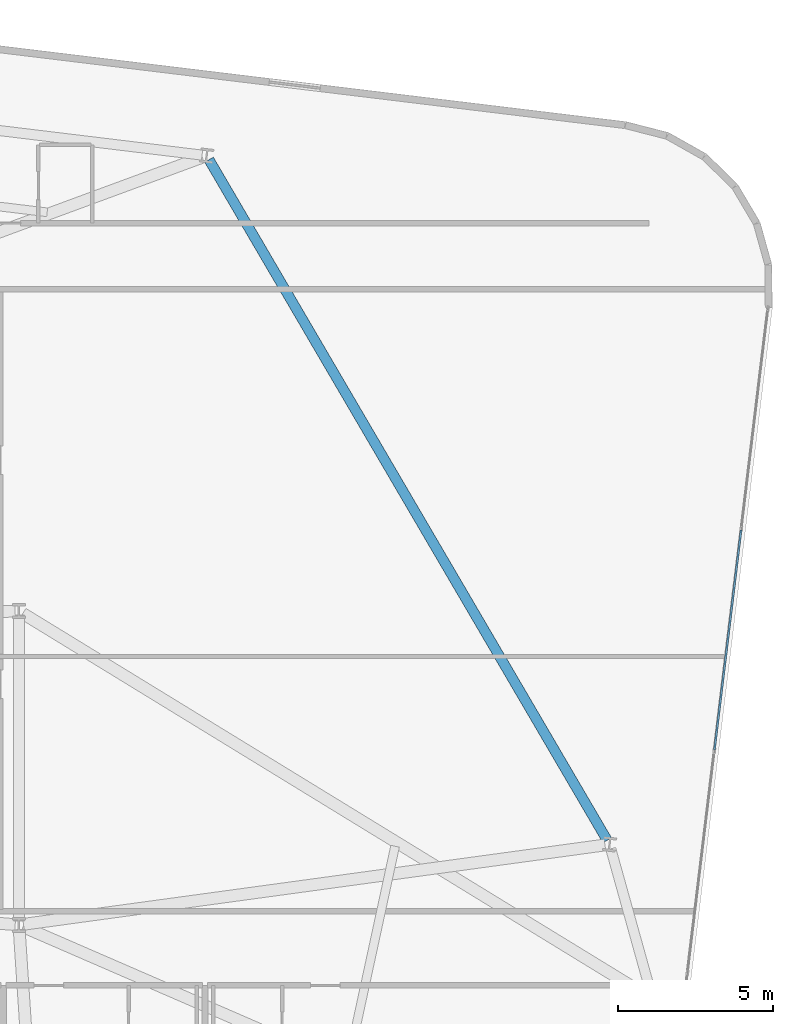
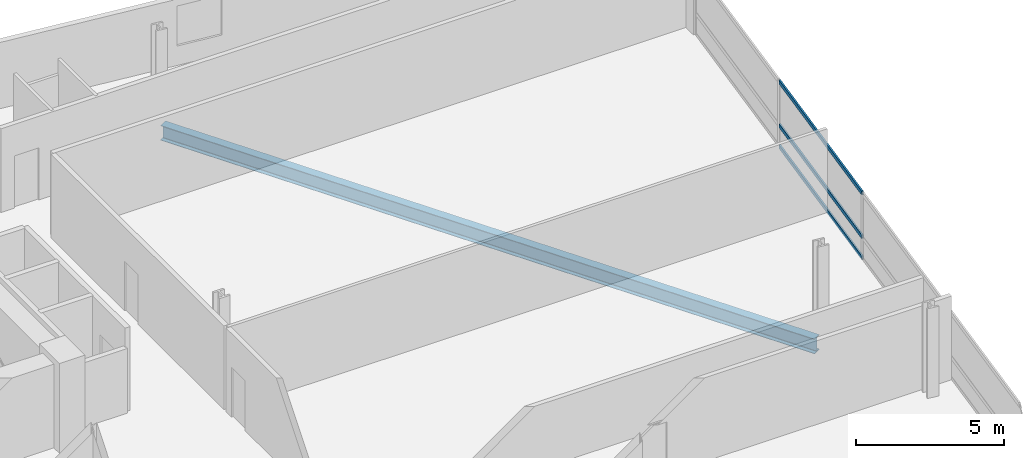
# One storey, part 17 of 26: 3 members, 1 beam, 1 element without a shape of its own.
"""IFC4 building model written with IfcOpenShell, lengths in metres."""

from ifc_helpers import new_model, si_unit, direction, frame, origin, origin_2d, place, context, subcontext, project, spatial, hollow_rectangle, i_section, extrude, material, layer, layer_set, material_profile, profile_set, type_object, element, aggregate, save


model = new_model("IFC4")

# Units and contexts
model_context = context("Model", 3, precision=1e-05, world=origin(), true_north=direction((0.0, 1.0)))
body_context = subcontext(model_context, "Body", "Model", "MODEL_VIEW")
ifc_project = project(units=[si_unit("LENGTHUNIT", "METRE"), si_unit("AREAUNIT", "SQUARE_METRE"), si_unit("VOLUMEUNIT", "CUBIC_METRE"), si_unit("PLANEANGLEUNIT", "RADIAN"), si_unit("MASSUNIT", "GRAM", prefix="KILO")], contexts=[model_context])

# Site, building, storey
site_placement = place(None, origin())
site = spatial("IfcSite", under=ifc_project, at=site_placement, CompositionType="ELEMENT")
building_placement = place(site_placement, origin())
building = spatial("IfcBuilding", under=site, at=building_placement, Name="Varnelok Gate Tower", CompositionType="ELEMENT")
storey_placement = place(building_placement, frame((0.0, 0.0, 129.10009765625)))
storey = spatial("IfcBuildingStorey", under=building, at=storey_placement, Name="L32", CompositionType="ELEMENT", Elevation=129.10009765625)

# Beam
ifc_material_1 = material(Name="Structural Steel ASTM A992 Grade 50", Category="steel")
ifc_material_profile_1 = material_profile(ifc_material_1, i_section(OverallWidth=0.323974609375, OverallDepth=0.611083984375, WebThickness=0.0126953125, FlangeThickness=0.01904296875, FilletRadius=0.01806640625, at=origin_2d()), Name="W24X104")
ifc_profile_set_1 = profile_set([ifc_material_profile_1], Name="Structural Steel ASTM A992 Grade 50")
beam_type = type_object("IfcBeamType", Name="BM-SPN-W24X104", PredefinedType="SPANDREL", material=ifc_profile_set_1)
beam_placement = place(storey_placement, frame((72.96875, 21.528076171875, -0.5556640625), z_axis=(-0.504960797965, 0.863142278259, 0.0), x_axis=(-0.863142278259, -0.504960797965, 0.0)))
element("IfcBeam", 1, at=beam_placement, inside=storey, type_object=beam_type, Name="L32 Perimeter Spandrel Beam 8", PredefinedType="SPANDREL", context=body_context, shape_type="SweptSolid", body=[
    extrude(i_section(OverallWidth=0.323974609375, OverallDepth=0.611083984375, WebThickness=0.0126953125, FlangeThickness=0.01904296875, FilletRadius=0.01806640625, at=origin_2d()), origin(), (0.0, 0.0, 1.0), 25.425537109375),
])

# Curtain wall, members
ifc_material_2 = material(Name="Anodized Aluminum Alloy 6063-T6", Category="aluminium")
ifc_layer = layer(ifc_material_2, 0.179931640625)
ifc_layer_set = layer_set([ifc_layer], Name="Anodized Aluminum Alloy 6063-T6")
curtain_wall_type = type_object("IfcCurtainWallType", Name="CW3-HOTEL-VISION", PredefinedType="USERDEFINED", material=ifc_layer_set)
curtain_wall_placement = place(storey_placement, origin())
curtain_wall = element("IfcCurtainWall", 2, at=curtain_wall_placement, inside=storey, type_object=curtain_wall_type, Name="L32 East End Vision Curtain Wall", ObjectType="UNITISED CURTAIN WALL", PredefinedType="USERDEFINED")
ifc_material_profile_2 = material_profile(ifc_material_2, hollow_rectangle(XDim=0.06494140625, YDim=0.159912109375, WallThickness=0.00390625, at=origin_2d()), Name="ALU160X65X4")
ifc_profile_set_2 = profile_set([ifc_material_profile_2], Name="Anodized Aluminum Alloy 6063-T6")
member_type = type_object("IfcMemberType", Name="CW-TRAN-160", PredefinedType="USERDEFINED", material=ifc_profile_set_2)
member_1_placement = place(storey_placement, frame((77.286376953125, 31.529296875, 0.032470703125), z_axis=(-0.120340564253, -0.992732667235, 0.0), x_axis=(0.992732667235, -0.120340564253, 0.0)))
member_1 = element("IfcMember", 3, at=member_1_placement, type_object=member_type, Name="CW3 transom 2.1", ObjectType="TRANSOM", PredefinedType="USERDEFINED", context=body_context, shape_type="SweptSolid", body=[
    extrude(hollow_rectangle(XDim=0.06494140625, YDim=0.159912109375, WallThickness=0.00390625, at=origin_2d()), origin(), (0.0, 0.0, 1.0), 7.135009765625),
])
member_2_placement = place(storey_placement, frame((77.286376953125, 31.529296875, 0.89990234375), z_axis=(-0.120340564253, -0.992732667235, 0.0), x_axis=(0.992732667235, -0.120340564253, 0.0)))
member_2 = element("IfcMember", 4, at=member_2_placement, type_object=member_type, Name="CW3 transom 2.2", ObjectType="TRANSOM", PredefinedType="USERDEFINED", context=body_context, shape_type="SweptSolid", body=[
    extrude(hollow_rectangle(XDim=0.06494140625, YDim=0.159912109375, WallThickness=0.00390625, at=origin_2d()), origin(), (0.0, 0.0, 1.0), 7.135009765625),
])
member_3_placement = place(storey_placement, frame((77.286376953125, 31.529296875, 2.697509765625), z_axis=(-0.120340564253, -0.992732667235, 0.0), x_axis=(0.992732667235, -0.120340564253, 0.0)))
member_3 = element("IfcMember", 5, at=member_3_placement, type_object=member_type, Name="CW3 transom 2.3", ObjectType="TRANSOM", PredefinedType="USERDEFINED", context=body_context, shape_type="SweptSolid", body=[
    extrude(hollow_rectangle(XDim=0.06494140625, YDim=0.159912109375, WallThickness=0.00390625, at=origin_2d()), origin(), (0.0, 0.0, 1.0), 7.135009765625),
])
aggregate(curtain_wall, [member_1, member_2, member_3])

save(model, "model.ifc")
